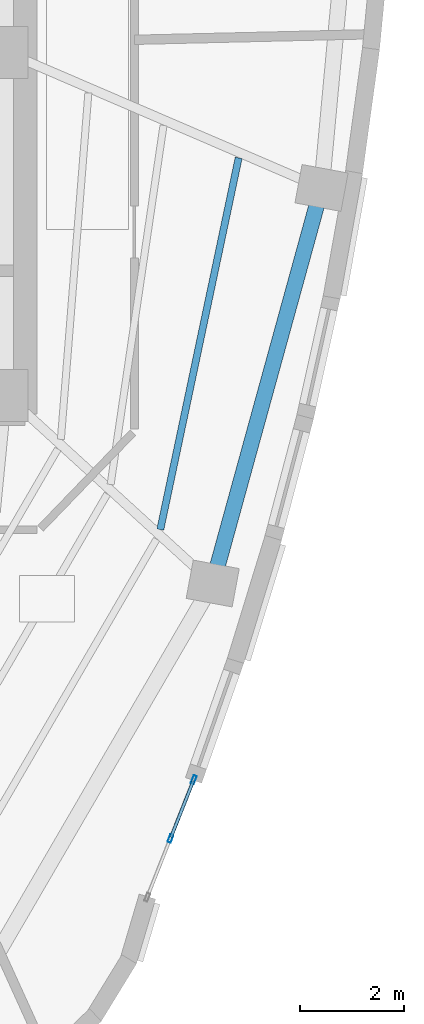
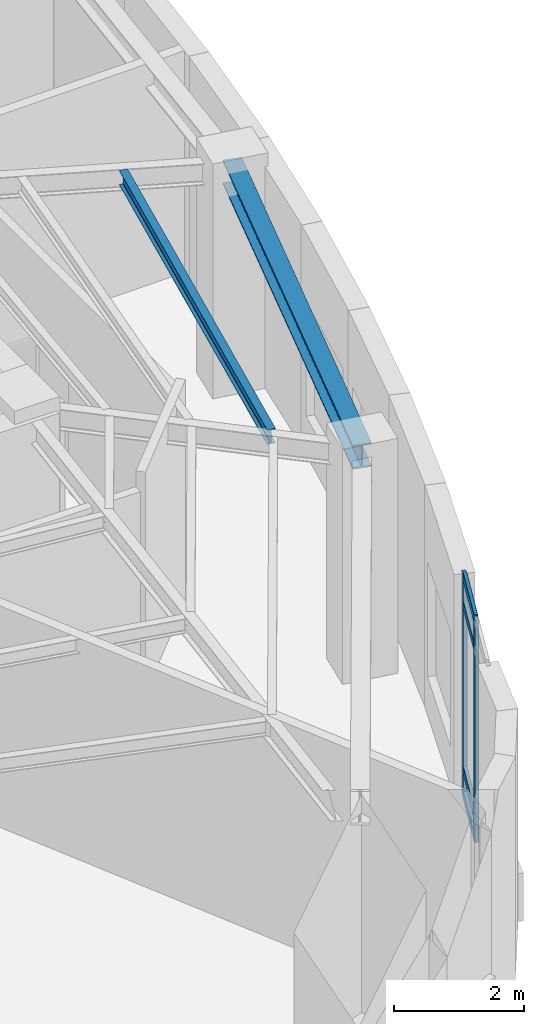
# One storey, part 6 of 13: 6 members, 2 beams, 1 element without a shape of its own.
"""IFC4 building model written with IfcOpenShell, lengths in metres."""

import ifcopenshell
import ifcopenshell.guid

model = None  # the IFC model being written
_history = None  # IfcOwnerHistory: only IFC2X3 demands one
_inside = {}  # id of a spatial element -> (the spatial element, [elements in it])
_under = {}  # id of a project, library or spatial element -> (it, [spatial elements below it])
_declared = {}  # id of a project -> (the project, [libraries it declares])
_typed = {}  # id of a type object -> (the type object, [elements of that type])
_made_of = {}  # id of a material, layer set ... -> (it, [elements and type objects made of it])


def new_model(schema):
    """Start an empty IFC model of exactly this schema.

    Asked for "IFC4X3", IfcOpenShell would pick the latest addendum, in which some entities
    have other attributes; the version numbers below select the first issue.
    IFC2X3 requires an IfcOwnerHistory on every rooted entity: one is made here for all.
    """
    global model, _history
    if schema == "IFC4X3":
        model = ifcopenshell.file(schema_version=(4, 3, 0, 0))
    else:
        model = ifcopenshell.file(schema=schema)
    _inside.clear()
    _under.clear()
    _declared.clear()
    _typed.clear()
    _made_of.clear()
    _history = None
    if model.schema == "IFC2X3":
        org = make("IfcOrganization", Name="unknown")
        user = make(
            "IfcPersonAndOrganization",
            ThePerson=make("IfcPerson", FamilyName="unknown"),
            TheOrganization=org,
        )
        app = make(
            "IfcApplication",
            ApplicationDeveloper=org,
            Version="unknown",
            ApplicationFullName="unknown",
            ApplicationIdentifier="unknown",
        )
        _history = make(
            "IfcOwnerHistory",
            OwningUser=user,
            OwningApplication=app,
            ChangeAction="ADDED",
            CreationDate=0,
        )
    return model


def make(cls, **values):
    """One entity of the class cls with the attributes given. An attribute that is None is left unset."""
    return model.create_entity(
        cls, **{name: value for name, value in values.items() if value is not None}
    )


def rooted(cls, **values):
    """An entity with a GlobalId (a new one), such as an element, a storey or a relation."""
    return make(cls, GlobalId=ifcopenshell.guid.new(), OwnerHistory=_history, **values)


def si_unit(unit_type, name, prefix=None):
    """IfcSIUnit, for example si_unit("LENGTHUNIT", "METRE", prefix="MILLI")."""
    return make("IfcSIUnit", UnitType=unit_type, Prefix=prefix, Name=name)


def assignment(units):
    """IfcUnitAssignment: the units of a project."""
    return None if units is None else make("IfcUnitAssignment", Units=units)


def point(xyz):
    """IfcCartesianPoint."""
    return None if xyz is None else make("IfcCartesianPoint", Coordinates=xyz)


def direction(xyz):
    """IfcDirection."""
    return None if xyz is None else make("IfcDirection", DirectionRatios=xyz)


def frame(location, z_axis=None, x_axis=None):
    """IfcAxis2Placement3D, a coordinate frame: its origin and axes. An axis left out is left unset."""
    return make(
        "IfcAxis2Placement3D",
        Location=point(location),
        Axis=direction(z_axis),
        RefDirection=direction(x_axis),
    )


def frame_2d(location, x_axis=None):
    """IfcAxis2Placement2D, a coordinate frame in the plane: its origin and x axis."""
    return make(
        "IfcAxis2Placement2D", Location=point(location), RefDirection=direction(x_axis)
    )


def origin():
    """The frame at (0, 0, 0) with its axes left unset."""
    return frame((0.0, 0.0, 0.0))


def origin_2d():
    """The frame at (0, 0) in the plane with its x axis left unset."""
    return frame_2d((0.0, 0.0))


def place(relative_to, where):
    """IfcLocalPlacement: puts the frame where relative to a parent placement (None: the world)."""
    return make(
        "IfcLocalPlacement", PlacementRelTo=relative_to, RelativePlacement=where
    )


def context(
    kind, dimensions, precision=None, world=None, true_north=None, identifier=None
):
    """IfcGeometricRepresentationContext, for example the 3D "Model" context."""
    return make(
        "IfcGeometricRepresentationContext",
        ContextIdentifier=identifier,
        ContextType=kind,
        CoordinateSpaceDimension=dimensions,
        Precision=precision,
        WorldCoordinateSystem=world,
        TrueNorth=true_north,
    )


def subcontext(parent, identifier, kind, view, scale=None):
    """IfcGeometricRepresentationSubContext, for example "Body" below "Model"."""
    return make(
        "IfcGeometricRepresentationSubContext",
        ContextIdentifier=identifier,
        ContextType=kind,
        ParentContext=parent,
        TargetScale=scale,
        TargetView=view,
    )


def project(units=None, contexts=None):
    """IfcProject with its units and contexts."""
    return rooted(
        "IfcProject",
        Name="project",
        RepresentationContexts=contexts,
        UnitsInContext=assignment(units),
    )


def spatial(cls, under=None, at=None, **own):
    """A site, building, storey or space (cls), placed at a placement, below another one or the project."""
    s = rooted(cls, ObjectPlacement=at, **own)
    if under is not None:
        _under.setdefault(under.id(), (under, []))[1].append(s)
    return s


def profile(cls, at=None, kind="AREA", **sizes):
    """A parametric profile (cls). Its sizes go by their IFC names, for example OverallWidth=200.0."""
    return make(cls, ProfileType=kind, Position=at, **sizes)


def hollow_rectangle(**sizes):
    """IfcRectangleHollowProfileDef."""
    return profile("IfcRectangleHollowProfileDef", **sizes)


def i_section(**sizes):
    """IfcIShapeProfileDef."""
    return profile("IfcIShapeProfileDef", **sizes)


def extrude(swept, where, along, depth):
    """IfcExtrudedAreaSolid: the profile swept, set in the frame where, extruded along a direction by depth."""
    return make(
        "IfcExtrudedAreaSolid",
        SweptArea=swept,
        Position=where,
        ExtrudedDirection=direction(along),
        Depth=depth,
    )


def shape(context_of_items, identifier, shape_type, items):
    """IfcShapeRepresentation: the items that make up one representation, for example the "Body"."""
    return make(
        "IfcShapeRepresentation",
        ContextOfItems=context_of_items,
        RepresentationIdentifier=identifier,
        RepresentationType=shape_type,
        Items=items,
    )


def material(Name=None, Category=None):
    """IfcMaterial."""
    return make("IfcMaterial", Name=Name, Category=Category)


def layer(
    of_material, thickness, ventilated=None, Name=None, Category=None, Priority=None
):
    """IfcMaterialLayer: one layer of a wall or slab, of a material (None: an air gap)."""
    return make(
        "IfcMaterialLayer",
        Material=of_material,
        LayerThickness=thickness,
        IsVentilated=ventilated,
        Name=Name,
        Category=Category,
        Priority=Priority,
    )


def layer_set(layers, Name=None):
    """IfcMaterialLayerSet."""
    return make("IfcMaterialLayerSet", MaterialLayers=layers, LayerSetName=Name)


def material_profile(
    of_material, cross_section, Name=None, Category=None, Priority=None
):
    """IfcMaterialProfile: a cross section and its material."""
    return make(
        "IfcMaterialProfile",
        Name=Name,
        Material=of_material,
        Profile=cross_section,
        Priority=Priority,
        Category=Category,
    )


def profile_set(profiles, Name=None, composite=None):
    """IfcMaterialProfileSet."""
    return make(
        "IfcMaterialProfileSet",
        Name=Name,
        MaterialProfiles=profiles,
        CompositeProfile=composite,
    )


def made_of(thing, what):
    """Note that an element or type object is made of a material, layer set ...; save() writes the relation."""
    if what is not None:
        _made_of.setdefault(what.id(), (what, []))[1].append(thing)
    return thing


def type_object(cls, material=None, **own):
    """A type object (cls), such as IfcWallType, which elements share."""
    return made_of(rooted(cls, **own), material)


def element(
    cls,
    number,
    at=None,
    inside=None,
    cuts=None,
    type_object=None,
    material=None,
    context=None,
    identifier="Body",
    shape_type=None,
    held_by="IfcProductDefinitionShape",
    body=None,
    shapes=None,
    **own,
):
    """One element of the class cls, such as IfcWall. Its Tag is "e" and its number.

    at: its placement. inside: the storey or other place that contains it. cuts: it is an
    opening in that element (IfcRelVoidsElement). A single representation is given by context,
    identifier, shape_type and body (its items); several are given by shapes. held_by: the class
    of the entity that holds the representations. save() writes the other relations.
    """
    e = rooted(cls, Tag="e%d" % number, ObjectPlacement=at, **own)
    if body is not None:
        shapes = [shape(context, identifier, shape_type, body)]
    if shapes is not None:
        e.Representation = make(held_by, Representations=shapes)
    if inside is not None:
        _inside.setdefault(inside.id(), (inside, []))[1].append(e)
    if cuts is not None:
        rooted(
            "IfcRelVoidsElement", RelatingBuildingElement=cuts, RelatedOpeningElement=e
        )
    if type_object is not None:
        _typed.setdefault(type_object.id(), (type_object, []))[1].append(e)
    return made_of(e, material)


def aggregate(whole, parts):
    """IfcRelAggregates: a whole, such as a stair, and the parts it consists of."""
    return rooted("IfcRelAggregates", RelatingObject=whole, RelatedObjects=parts)


def save(model, path):
    """Write the relations noted so far, then the file.

    IfcRelAggregates (storeys below a building ...), IfcRelContainedInSpatialStructure (elements
    in a storey), IfcRelDefinesByType, IfcRelAssociatesMaterial and IfcRelDeclares: one each for
    every whole, place, type object, material and project.
    """
    for whole, parts in _under.values():
        aggregate(whole, parts)
    for where, things in _inside.values():
        rooted(
            "IfcRelContainedInSpatialStructure",
            RelatedElements=things,
            RelatingStructure=where,
        )
    for kind, things in _typed.values():
        rooted("IfcRelDefinesByType", RelatedObjects=things, RelatingType=kind)
    for what, things in _made_of.values():
        rooted("IfcRelAssociatesMaterial", RelatedObjects=things, RelatingMaterial=what)
    for by, libraries in _declared.values():
        rooted("IfcRelDeclares", RelatingContext=by, RelatedDefinitions=libraries)
    model.write(path)


model = new_model("IFC4")

# Units and contexts
model_context = context("Model", 3, precision=1e-05, world=origin(), true_north=direction((0.0, 1.0)))
body_context = subcontext(model_context, "Body", "Model", "MODEL_VIEW")
ifc_project = project(units=[si_unit("LENGTHUNIT", "METRE"), si_unit("AREAUNIT", "SQUARE_METRE"), si_unit("VOLUMEUNIT", "CUBIC_METRE"), si_unit("PLANEANGLEUNIT", "RADIAN"), si_unit("MASSUNIT", "GRAM", prefix="KILO")], contexts=[model_context])

# Site, building, storey
site_placement = place(None, origin())
site = spatial("IfcSite", under=ifc_project, at=site_placement, CompositionType="ELEMENT")
building_placement = place(site_placement, origin())
building = spatial("IfcBuilding", under=site, at=building_placement, Name="Ndelora Gate Hotel", CompositionType="ELEMENT")
storey_placement = place(building_placement, frame((0.0, 0.0, 272.800048828125)))
storey = spatial("IfcBuildingStorey", under=building, at=storey_placement, Name="L68", CompositionType="ELEMENT", Elevation=272.800048828125)

# Beams
ifc_material_1 = material(Name="Steel S355", Category="steel")
ifc_material_profile_1 = material_profile(ifc_material_1, i_section(OverallWidth=0.135009765625, OverallDepth=0.27001953125, WebThickness=0.006591796875, FlangeThickness=0.01025390625, FilletRadius=0.014892578125, at=origin_2d()), Name="IPE 270")
ifc_profile_set_1 = profile_set([ifc_material_profile_1], Name="Steel S355")
beam_type_1 = type_object("IfcBeamType", Name="BM-JST-270", PredefinedType="JOIST", material=ifc_profile_set_1)
beam_1_placement = place(storey_placement, frame((10.94873046875, -9.17529296875, 4.014892578125), z_axis=(0.206301761085, 0.978488417598, 0.0), x_axis=(-0.978488417598, 0.206301761085, 0.0)))
element("IfcBeam", 1, at=beam_1_placement, inside=storey, type_object=beam_type_1, Name="L68 Secondary Composite Floor Joist OUT-6", PredefinedType="JOIST", context=body_context, shape_type="SweptSolid", body=[
    extrude(i_section(OverallWidth=0.135009765625, OverallDepth=0.27001953125, WebThickness=0.006591796875, FlangeThickness=0.01025390625, FilletRadius=0.014892578125, at=origin_2d()), origin(), (0.0, 0.0, 1.0), 7.3076171875),
])
ifc_material_profile_2 = material_profile(ifc_material_1, i_section(OverallWidth=0.300048828125, OverallDepth=0.449951171875, WebThickness=0.013916015625, FlangeThickness=0.02587890625, FilletRadius=0.027099609375, at=origin_2d()), Name="HEB 450")
ifc_profile_set_2 = profile_set([ifc_material_profile_2], Name="Steel S355")
beam_type_2 = type_object("IfcBeamType", Name="BM-RING-450", PredefinedType="SPANDREL", material=ifc_profile_set_2)
beam_2_placement = place(storey_placement, frame((11.956787109375, -10.212158203125, 3.925048828125), z_axis=(0.265247809385, 0.964180273401, 0.0), x_axis=(-0.964180273401, 0.265247809385, 0.0)))
element("IfcBeam", 2, at=beam_2_placement, inside=storey, type_object=beam_type_2, Name="L68 Perimeter Spandrel Girder 6", PredefinedType="SPANDREL", context=body_context, shape_type="SweptSolid", body=[
    extrude(i_section(OverallWidth=0.300048828125, OverallDepth=0.449951171875, WebThickness=0.013916015625, FlangeThickness=0.02587890625, FilletRadius=0.027099609375, at=origin_2d()), origin(), (0.0, 0.0, 1.0), 7.890869140625),
])

# Curtain wall, members
ifc_material_2 = material(Name="Bronze Anodised Unitised Aluminium and Low-E Glass", Category="aluminium")
ifc_layer = layer(ifc_material_2, 0.219970703125)
ifc_layer_set = layer_set([ifc_layer], Name="Bronze Anodised Unitised Aluminium and Low-E Glass")
curtain_wall_type = type_object("IfcCurtainWallType", Name="CW-SYS-6", PredefinedType="NOTDEFINED", material=ifc_layer_set)
curtain_wall_placement = place(storey_placement, origin())
curtain_wall = element("IfcCurtainWall", 3, at=curtain_wall_placement, inside=storey, type_object=curtain_wall_type, Name="L68 Crown Sky-Restaurant & Cocktail Bar Curtain Wall 2", PredefinedType="NOTDEFINED")
ifc_material_3 = material(Name="Bronze Anodised Aluminium 6063-T6", Category="aluminium")
ifc_material_profile_3 = material_profile(ifc_material_3, hollow_rectangle(XDim=0.06494140625, YDim=0.159912109375, WallThickness=0.00390625, InnerFilletRadius=0.00390625, OuterFilletRadius=0.008056640625, at=origin_2d()), Name="ALU 160x65x4")
ifc_profile_set_3 = profile_set([ifc_material_profile_3], Name="Bronze Anodised Aluminium 6063-T6")
member_type_1 = type_object("IfcMemberType", Name="MB-CW-MUL150", PredefinedType="MULLION", material=ifc_profile_set_3)
member_1_placement = place(storey_placement, frame((11.1455078125, -15.116943359375, -0.004150390625), z_axis=(0.0, 0.0, 1.0), x_axis=(-0.929944476416, 0.367699973869, 0.0)))
member_1 = element("IfcMember", 4, at=member_1_placement, type_object=member_type_1, Name="CW6 mullion 2", PredefinedType="MULLION", context=body_context, shape_type="SweptSolid", body=[
    extrude(hollow_rectangle(XDim=0.06494140625, YDim=0.159912109375, WallThickness=0.00390625, InnerFilletRadius=0.00390625, OuterFilletRadius=0.008056640625, at=origin_2d()), origin(), (0.0, 0.0, 1.0), 4.158203125),
])
member_2_placement = place(storey_placement, frame((11.592529296875, -13.986328125, -0.004150390625), z_axis=(0.0, 0.0, 1.0), x_axis=(-0.929944476416, 0.367699973869, 0.0)))
member_2 = element("IfcMember", 5, at=member_2_placement, type_object=member_type_1, Name="CW6 mullion 3", PredefinedType="MULLION", context=body_context, shape_type="SweptSolid", body=[
    extrude(hollow_rectangle(XDim=0.06494140625, YDim=0.159912109375, WallThickness=0.00390625, InnerFilletRadius=0.00390625, OuterFilletRadius=0.008056640625, at=origin_2d()), origin(), (0.0, 0.0, 1.0), 4.158203125),
])
ifc_material_profile_4 = material_profile(ifc_material_3, hollow_rectangle(XDim=0.06494140625, YDim=0.159912109375, WallThickness=0.00390625, InnerFilletRadius=0.00390625, OuterFilletRadius=0.008056640625, at=origin_2d()), Name="ALU 160x65x4")
ifc_profile_set_4 = profile_set([ifc_material_profile_4], Name="Bronze Anodised Aluminium 6063-T6")
member_type_2 = type_object("IfcMemberType", Name="MB-CW-TRN150", PredefinedType="USERDEFINED", material=ifc_profile_set_4)
member_3_placement = place(storey_placement, frame((11.1552734375, -15.09228515625, 0.032470703125), z_axis=(0.367840456756, 0.929888917223, 0.0), x_axis=(-0.929888917223, 0.367840456756, 0.0)))
member_3 = element("IfcMember", 6, at=member_3_placement, type_object=member_type_2, Name="CW6 transom 2.1", ObjectType="TRANSOM", PredefinedType="USERDEFINED", context=body_context, shape_type="SweptSolid", body=[
    extrude(hollow_rectangle(XDim=0.06494140625, YDim=0.159912109375, WallThickness=0.00390625, InnerFilletRadius=0.00390625, OuterFilletRadius=0.008056640625, at=origin_2d()), origin(), (0.0, 0.0, 1.0), 1.162841796875),
])
member_4_placement = place(storey_placement, frame((11.1552734375, -15.09228515625, 0.5), z_axis=(0.367840456756, 0.929888917223, 0.0), x_axis=(-0.929888917223, 0.367840456756, 0.0)))
member_4 = element("IfcMember", 7, at=member_4_placement, type_object=member_type_2, Name="CW6 transom 2.2", ObjectType="TRANSOM", PredefinedType="USERDEFINED", context=body_context, shape_type="SweptSolid", body=[
    extrude(hollow_rectangle(XDim=0.06494140625, YDim=0.159912109375, WallThickness=0.00390625, InnerFilletRadius=0.00390625, OuterFilletRadius=0.008056640625, at=origin_2d()), origin(), (0.0, 0.0, 1.0), 1.162841796875),
])
member_5_placement = place(storey_placement, frame((11.1552734375, -15.09228515625, 3.599853515625), z_axis=(0.367840456756, 0.929888917223, 0.0), x_axis=(-0.929888917223, 0.367840456756, 0.0)))
member_5 = element("IfcMember", 8, at=member_5_placement, type_object=member_type_2, Name="CW6 transom 2.3", ObjectType="TRANSOM", PredefinedType="USERDEFINED", context=body_context, shape_type="SweptSolid", body=[
    extrude(hollow_rectangle(XDim=0.06494140625, YDim=0.159912109375, WallThickness=0.00390625, InnerFilletRadius=0.00390625, OuterFilletRadius=0.008056640625, at=origin_2d()), origin(), (0.0, 0.0, 1.0), 1.162841796875),
])
member_6_placement = place(storey_placement, frame((11.1552734375, -15.09228515625, 4.117431640625), z_axis=(0.367840456756, 0.929888917223, 0.0), x_axis=(-0.929888917223, 0.367840456756, 0.0)))
member_6 = element("IfcMember", 9, at=member_6_placement, type_object=member_type_2, Name="CW6 transom 2.4", ObjectType="TRANSOM", PredefinedType="USERDEFINED", context=body_context, shape_type="SweptSolid", body=[
    extrude(hollow_rectangle(XDim=0.06494140625, YDim=0.159912109375, WallThickness=0.00390625, InnerFilletRadius=0.00390625, OuterFilletRadius=0.008056640625, at=origin_2d()), origin(), (0.0, 0.0, 1.0), 1.162841796875),
])
aggregate(curtain_wall, [member_1, member_2, member_3, member_4, member_5, member_6])

save(model, "model.ifc")
